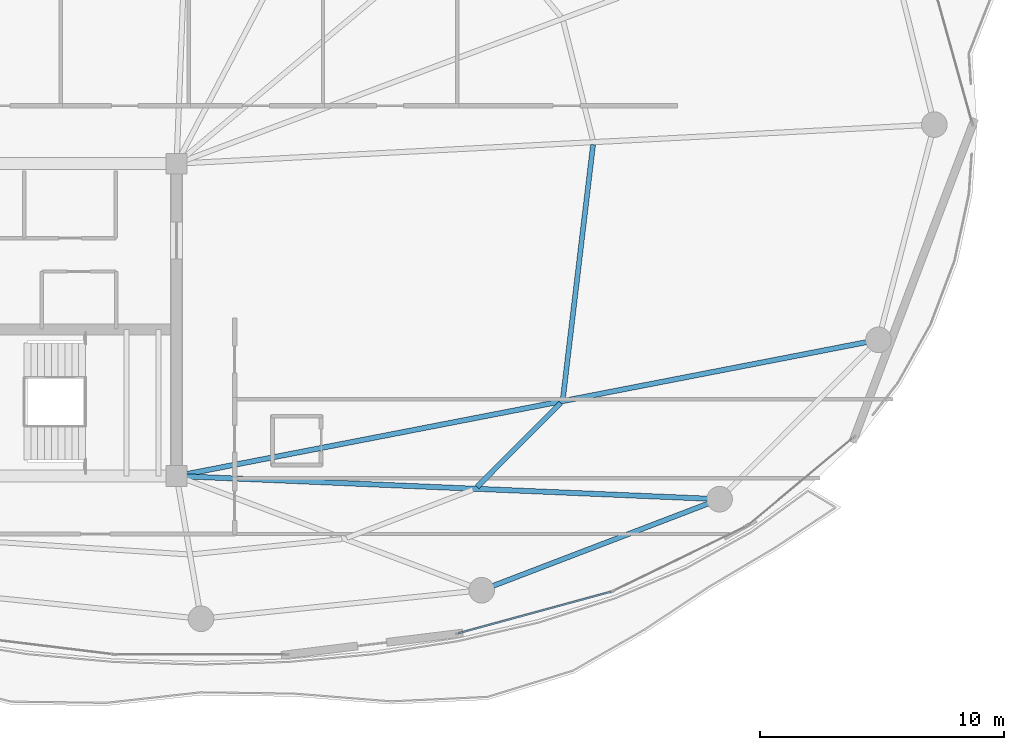
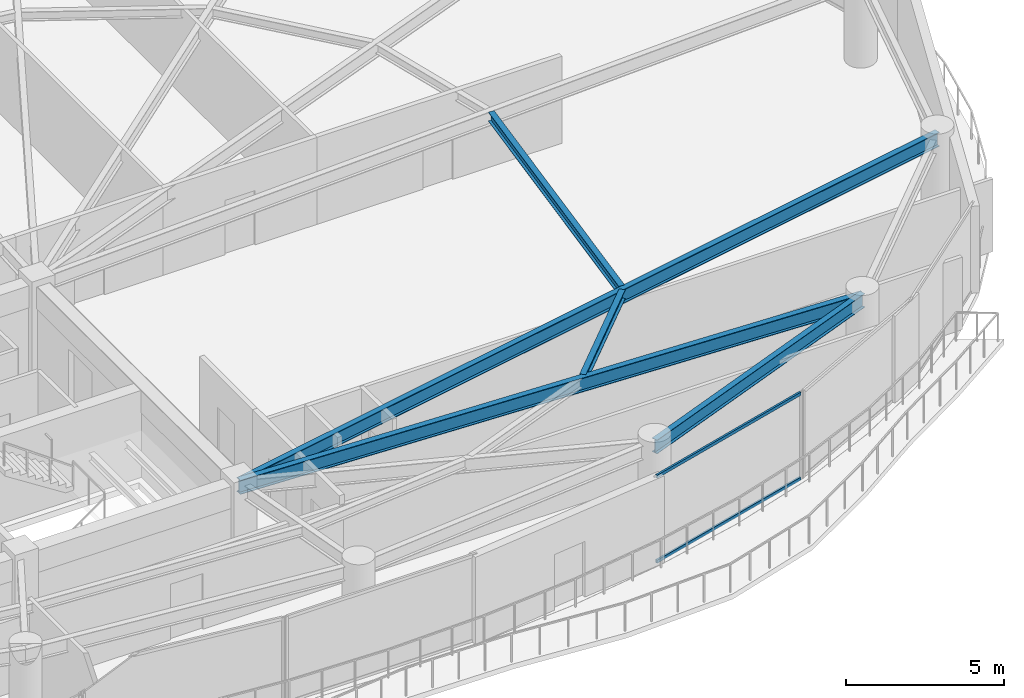
# One storey, part 11 of 29: 5 beams, 2 members, 1 element without a shape of its own.
"""IFC4 building model written with IfcOpenShell, lengths in metres."""

from ifc_helpers import new_model, si_unit, direction, frame, origin, origin_2d, place, context, subcontext, project, spatial, hollow_rectangle, i_section, extrude, material, layer, layer_set, material_profile, profile_set, type_object, element, aggregate, save


model = new_model("IFC4")

# Units and contexts
model_context = context("Model", 3, precision=1e-05, world=origin(), true_north=direction((0.0, 1.0)))
body_context = subcontext(model_context, "Body", "Model", "MODEL_VIEW")
ifc_project = project(units=[si_unit("LENGTHUNIT", "METRE"), si_unit("AREAUNIT", "SQUARE_METRE"), si_unit("VOLUMEUNIT", "CUBIC_METRE"), si_unit("PLANEANGLEUNIT", "RADIAN"), si_unit("MASSUNIT", "GRAM", prefix="KILO")], contexts=[model_context])

# Site, building, storey
site_placement = place(None, origin())
site = spatial("IfcSite", under=ifc_project, at=site_placement, CompositionType="ELEMENT")
building_placement = place(site_placement, origin())
building = spatial("IfcBuilding", under=site, at=building_placement, Name="Kazevale Care Tower and Concert Hall", CompositionType="ELEMENT")
storey_placement = place(building_placement, frame((0.0, 0.0, 213.60009765625)))
storey = spatial("IfcBuildingStorey", under=building, at=storey_placement, Name="L56", CompositionType="ELEMENT", Elevation=213.60009765625)

# Curtain wall, members
ifc_material_1 = material(Name="Aluminium 6063-T6 and Low-E Glass", Category="aluminium")
ifc_layer = layer(ifc_material_1, 0.179931640625)
ifc_layer_set = layer_set([ifc_layer], Name="Aluminium 6063-T6 and Low-E Glass")
curtain_wall_type = type_object("IfcCurtainWallType", Name="Sheltered Concave Balcony Curtain Wall CW-5", PredefinedType="NOTDEFINED", material=ifc_layer_set)
curtain_wall_placement = place(storey_placement, origin())
curtain_wall = element("IfcCurtainWall", 1, at=curtain_wall_placement, inside=storey, type_object=curtain_wall_type, Name="cw:L56:f04", PredefinedType="NOTDEFINED")
ifc_material_2 = material(Name="Aluminium 6063-T6", Category="aluminium")
ifc_material_profile_1 = material_profile(ifc_material_2, hollow_rectangle(XDim=0.074951171875, YDim=0.1201171875, WallThickness=0.00390625, at=origin_2d()), Name="ALU75x120x4")
ifc_profile_set_1 = profile_set([ifc_material_profile_1], Name="Aluminium 6063-T6")
member_type = type_object("IfcMemberType", Name="CW-5 Transom ALU75x120x4", PredefinedType="USERDEFINED", material=ifc_profile_set_1)
member_1_placement = place(storey_placement, frame((61.78369140625, 18.853271484375, 0.037353515625), z_axis=(-0.964843890632, -0.262823641842, 0.0), x_axis=(0.262823641842, -0.964843890632, 0.0)))
member_1 = element("IfcMember", 2, at=member_1_placement, type_object=member_type, Name="CW-5 transom 1.1", ObjectType="TRANSOM", PredefinedType="USERDEFINED", context=body_context, shape_type="SweptSolid", body=[
    extrude(hollow_rectangle(XDim=0.074951171875, YDim=0.1201171875, WallThickness=0.00390625, at=origin_2d()), origin(), (0.0, 0.0, 1.0), 6.469970703125),
])
member_2_placement = place(storey_placement, frame((61.78369140625, 18.853271484375, 3.322509765625), z_axis=(-0.964843890632, -0.262823641842, 0.0), x_axis=(0.262823641842, -0.964843890632, 0.0)))
member_2 = element("IfcMember", 3, at=member_2_placement, type_object=member_type, Name="CW-5 transom 1.2", ObjectType="TRANSOM", PredefinedType="USERDEFINED", context=body_context, shape_type="SweptSolid", body=[
    extrude(hollow_rectangle(XDim=0.074951171875, YDim=0.1201171875, WallThickness=0.00390625, at=origin_2d()), origin(), (0.0, 0.0, 1.0), 6.469970703125),
])
aggregate(curtain_wall, [member_1, member_2])

# Beams
ifc_material_3 = material(Name="Steel ASTM A572 Gr 50", Category="steel")
ifc_material_profile_2 = material_profile(ifc_material_3, i_section(OverallWidth=0.2119140625, OverallDepth=0.5439453125, WebThickness=0.01318359375, FlangeThickness=0.021240234375, at=origin_2d()), Name="W530x123")
ifc_profile_set_2 = profile_set([ifc_material_profile_2], Name="Steel ASTM A572 Gr 50")
beam_type_1 = type_object("IfcBeamType", Name="Radial Floor Girder W530x123", PredefinedType="BEAM", material=ifc_profile_set_2)
beam_1_placement = place(storey_placement, frame((44.0, 23.60009765625, 3.087890625), z_axis=(0.999089369477, -0.042666518456, 0.0), x_axis=(0.042666518456, 0.999089369477, 0.0)))
element("IfcBeam", 4, at=beam_1_placement, inside=storey, type_object=beam_type_1, Name="beam:L56:rad:15", PredefinedType="BEAM", context=body_context, shape_type="SweptSolid", body=[
    extrude(i_section(OverallWidth=0.2119140625, OverallDepth=0.5439453125, WebThickness=0.01318359375, FlangeThickness=0.021240234375, at=origin_2d()), origin(), (0.0, 0.0, 1.0), 22.270263671875),
])
beam_2_placement = place(storey_placement, frame((44.0, 23.60009765625, 3.087890625), z_axis=(0.981694544574, 0.190462125247, 0.0), x_axis=(-0.190462125247, 0.981694544574, 0.0)))
element("IfcBeam", 5, at=beam_2_placement, inside=storey, type_object=beam_type_1, Name="beam:L56:rad:16", PredefinedType="BEAM", context=body_context, shape_type="SweptSolid", body=[
    extrude(i_section(OverallWidth=0.2119140625, OverallDepth=0.5439453125, WebThickness=0.01318359375, FlangeThickness=0.021240234375, at=origin_2d()), origin(), (0.0, 0.0, 1.0), 29.29638671875),
])
ifc_material_profile_3 = material_profile(ifc_material_3, i_section(OverallWidth=0.205078125, OverallDepth=0.35400390625, WebThickness=0.009521484375, FlangeThickness=0.016845703125, at=origin_2d()), Name="W360x79")
ifc_profile_set_3 = profile_set([ifc_material_profile_3], Name="Steel ASTM A572 Gr 50")
beam_type_2 = type_object("IfcBeamType", Name="Secondary Floor Joist W360x79", PredefinedType="JOIST", material=ifc_profile_set_3)
beam_3_placement = place(storey_placement, frame((56.31201171875, 23.152099609375, 3.182861328125), z_axis=(0.705975874919, 0.708235881633, 0.0), x_axis=(-0.708235881633, 0.705975874919, 0.0)))
element("IfcBeam", 6, at=beam_3_placement, inside=storey, type_object=beam_type_2, Name="beam:L56:joist:15", PredefinedType="JOIST", context=body_context, shape_type="SweptSolid", body=[
    extrude(i_section(OverallWidth=0.205078125, OverallDepth=0.35400390625, WebThickness=0.009521484375, FlangeThickness=0.016845703125, at=origin_2d()), origin(), (0.0, 0.0, 1.0), 4.861083984375),
])
beam_4_placement = place(storey_placement, frame((59.830078125, 26.77294921875, 3.182861328125), z_axis=(0.117874218468, 0.993028533639, 0.0), x_axis=(-0.993028533639, 0.117874218468, 0.0)))
element("IfcBeam", 7, at=beam_4_placement, inside=storey, type_object=beam_type_2, Name="beam:L56:joist:16", PredefinedType="JOIST", context=body_context, shape_type="SweptSolid", body=[
    extrude(i_section(OverallWidth=0.205078125, OverallDepth=0.35400390625, WebThickness=0.009521484375, FlangeThickness=0.016845703125, at=origin_2d()), origin(), (0.0, 0.0, 1.0), 10.47607421875),
])
ifc_material_profile_4 = material_profile(ifc_material_3, i_section(OverallWidth=0.208984375, OverallDepth=0.532958984375, WebThickness=0.01025390625, FlangeThickness=0.015625, at=origin_2d()), Name="W530x92")
ifc_profile_set_4 = profile_set([ifc_material_profile_4], Name="Steel ASTM A572 Gr 50")
beam_type_3 = type_object("IfcBeamType", Name="Upper Ring Beam W530x92", PredefinedType="BEAM", material=ifc_profile_set_4)
beam_5_placement = place(storey_placement, frame((56.5, 18.919921875, 3.093505859375), z_axis=(0.933986653173, 0.357307894811, 0.0), x_axis=(-0.357307894811, 0.933986653173, 0.0)))
element("IfcBeam", 8, at=beam_5_placement, inside=storey, type_object=beam_type_3, Name="beam:L56:ring:14", PredefinedType="BEAM", context=body_context, shape_type="SweptSolid", body=[
    extrude(i_section(OverallWidth=0.208984375, OverallDepth=0.532958984375, WebThickness=0.01025390625, FlangeThickness=0.015625, at=origin_2d()), origin(), (0.0, 0.0, 1.0), 10.439208984375),
])

save(model, "model.ifc")
